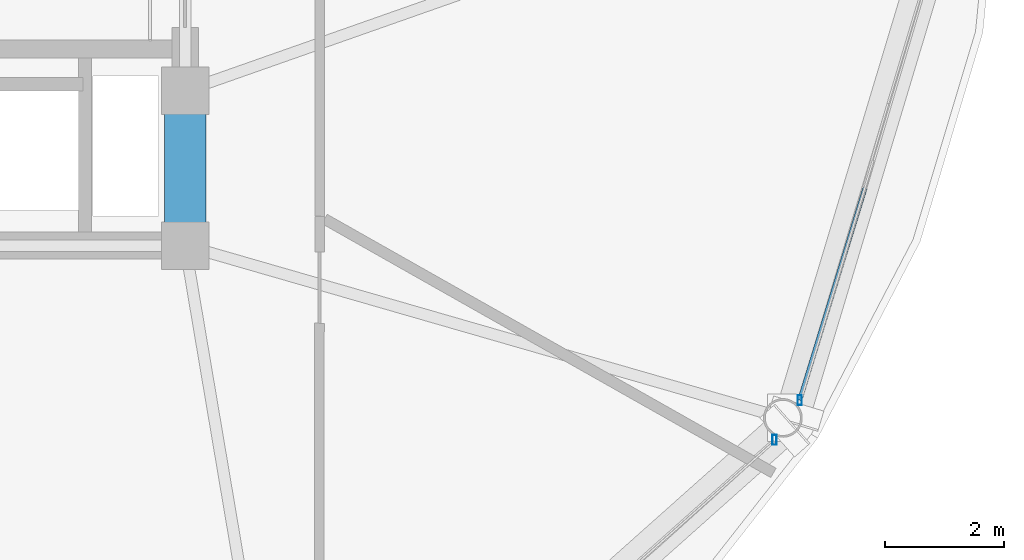
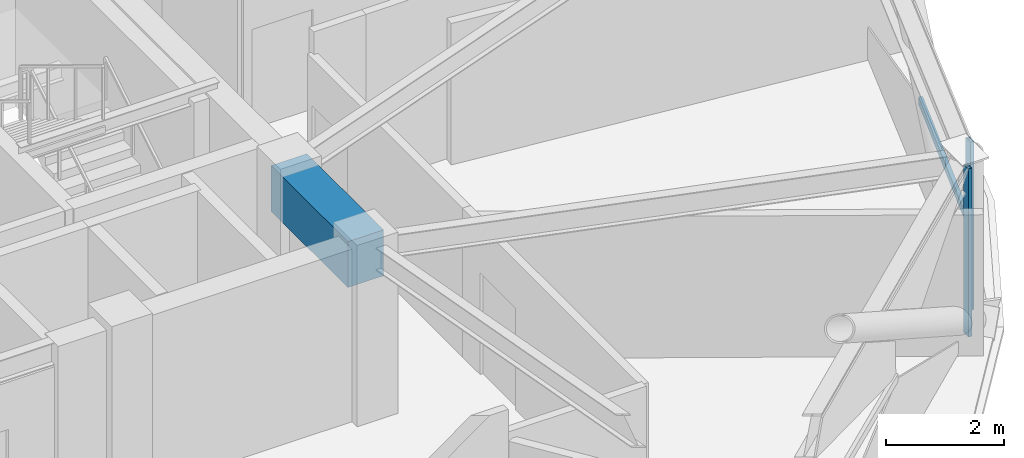
# One storey, part 12 of 30: 3 members, 1 beam, 2 elements without a shape of their own.
"""IFC4 building model written with IfcOpenShell, lengths in metres."""

from ifc_helpers import new_model, si_unit, direction, frame, origin, origin_2d, place, context, subcontext, project, spatial, rectangle, hollow_rectangle, extrude, material, layer, layer_set, material_profile, profile_set, type_object, element, aggregate, save


model = new_model("IFC4")

# Units and contexts
model_context = context("Model", 3, precision=1e-05, world=origin(), true_north=direction((0.0, 1.0)))
body_context = subcontext(model_context, "Body", "Model", "MODEL_VIEW")
ifc_project = project(units=[si_unit("LENGTHUNIT", "METRE"), si_unit("AREAUNIT", "SQUARE_METRE"), si_unit("VOLUMEUNIT", "CUBIC_METRE"), si_unit("PLANEANGLEUNIT", "RADIAN"), si_unit("MASSUNIT", "GRAM", prefix="KILO")], contexts=[model_context])

# Site, building, storey
site_placement = place(None, origin())
site = spatial("IfcSite", under=ifc_project, at=site_placement, CompositionType="ELEMENT")
building_placement = place(site_placement, origin())
building = spatial("IfcBuilding", under=site, at=building_placement, Name="Vantalir Tower", CompositionType="ELEMENT")
storey_placement = place(building_placement, frame((0.0, 0.0, 189.89990234375)))
storey = spatial("IfcBuildingStorey", under=building, at=storey_placement, Name="L47", CompositionType="ELEMENT", Elevation=189.89990234375)

# Beam
ifc_material_1 = material(Name="Concrete C60/75", Category="concrete")
ifc_material_profile_1 = material_profile(ifc_material_1, rectangle(XDim=0.699951171875, YDim=0.949951171875, at=origin_2d()), Name="Concrete C60/75")
ifc_profile_set_1 = profile_set([ifc_material_profile_1], Name="Concrete C60/75")
beam_type = type_object("IfcBeamType", Name="BM-CB-700x950", PredefinedType="USERDEFINED", material=ifc_profile_set_1)
beam_placement = place(storey_placement, frame((41.10009765625, 17.800048828125, 3.09521484375), z_axis=(0.0, 1.0, 0.0), x_axis=(-1.0, 0.0, 0.0)))
element("IfcBeam", 1, at=beam_placement, inside=storey, type_object=beam_type, Name="L47 Core Coupling Girder 05", ObjectType="GIRDER", PredefinedType="USERDEFINED", context=body_context, shape_type="SweptSolid", body=[
    extrude(rectangle(XDim=0.699951171875, YDim=0.949951171875, at=origin_2d()), origin(), (0.0, 0.0, 1.0), 2.599853515625),
])

# Curtain wall, member
ifc_material_2 = material(Name="Champagne-silver PVDF aluminium and double-silver Low-E glass", Category="aluminium")
ifc_layer = layer(ifc_material_2, 0.2099609375)
ifc_layer_set = layer_set([ifc_layer], Name="Champagne-silver PVDF aluminium and double-silver Low-E glass")
curtain_wall_type = type_object("IfcCurtainWallType", Name="CW-DIAMOND-Z3", PredefinedType="USERDEFINED", material=ifc_layer_set)
curtain_wall_1_placement = place(storey_placement, origin())
curtain_wall_1 = element("IfcCurtainWall", 2, at=curtain_wall_1_placement, inside=storey, type_object=curtain_wall_type, Name="L47 Quilted Pyramid-Diamond Curtain Wall S11", ObjectType="UNITISED CURTAIN WALL", PredefinedType="USERDEFINED")
ifc_material_3 = material(Name="Champagne-silver PVDF aluminium 6063-T6", Category="aluminium")
ifc_material_profile_2 = material_profile(ifc_material_3, hollow_rectangle(XDim=0.070068359375, YDim=0.1650390625, WallThickness=0.00390625, at=origin_2d()), Name="Champagne-silver PVDF aluminium 6063-T6")
ifc_profile_set_2 = profile_set([ifc_material_profile_2], Name="Champagne-silver PVDF aluminium 6063-T6")
member_type_1 = type_object("IfcMemberType", Name="CWM-165x70", PredefinedType="MULLION", material=ifc_profile_set_2)
member_1_placement = place(storey_placement, frame((50.9970703125, 14.5380859375, 0.045166015625), z_axis=(0.0, 0.0, 1.0), x_axis=(1.0, 0.0, 0.0)))
member_1 = element("IfcMember", 3, at=member_1_placement, type_object=member_type_1, Name="CW-L47-S11 Mullion 2", PredefinedType="MULLION", context=body_context, shape_type="SweptSolid", body=[
    extrude(hollow_rectangle(XDim=0.070068359375, YDim=0.1650390625, WallThickness=0.00390625, at=origin_2d()), origin(), (0.0, 0.0, 1.0), 3.47998046875),
])
aggregate(curtain_wall_1, [member_1])

# Curtain wall, members
curtain_wall_2_placement = place(storey_placement, origin())
curtain_wall_2 = element("IfcCurtainWall", 4, at=curtain_wall_2_placement, inside=storey, type_object=curtain_wall_type, Name="L47 Quilted Pyramid-Diamond Curtain Wall S12", ObjectType="UNITISED CURTAIN WALL", PredefinedType="USERDEFINED")
member_2_placement = place(storey_placement, frame((51.4208984375, 15.2041015625, 0.045166015625), z_axis=(0.0, 0.0, 1.0), x_axis=(1.0, 0.0, 0.0)))
member_2 = element("IfcMember", 5, at=member_2_placement, type_object=member_type_1, Name="CW-L47-S12 Mullion 1", PredefinedType="MULLION", context=body_context, shape_type="SweptSolid", body=[
    extrude(hollow_rectangle(XDim=0.070068359375, YDim=0.1650390625, WallThickness=0.00390625, at=origin_2d()), origin(), (0.0, 0.0, 1.0), 3.47998046875),
])
ifc_material_profile_3 = material_profile(ifc_material_3, hollow_rectangle(XDim=0.074951171875, YDim=0.159912109375, WallThickness=0.00390625, at=origin_2d()), Name="Champagne-silver PVDF aluminium 6063-T6")
ifc_profile_set_3 = profile_set([ifc_material_profile_3], Name="Champagne-silver PVDF aluminium 6063-T6")
member_type_2 = type_object("IfcMemberType", Name="CWT-160x75", PredefinedType="USERDEFINED", material=ifc_profile_set_3)
member_3_placement = place(storey_placement, frame((51.4208984375, 15.2041015625, 1.78515625), z_axis=(0.294076652186, 0.955781838413, 0.0), x_axis=(-0.955781838413, 0.294076652186, 0.0)))
member_3 = element("IfcMember", 6, at=member_3_placement, type_object=member_type_2, Name="CW-L47-S12 Pyramid Fold Ridge Transom", ObjectType="TRANSOM", PredefinedType="USERDEFINED", context=body_context, shape_type="SweptSolid", body=[
    extrude(hollow_rectangle(XDim=0.074951171875, YDim=0.159912109375, WallThickness=0.00390625, at=origin_2d()), origin(), (0.0, 0.0, 1.0), 3.73095703125),
])
aggregate(curtain_wall_2, [member_2, member_3])

save(model, "model.ifc")
